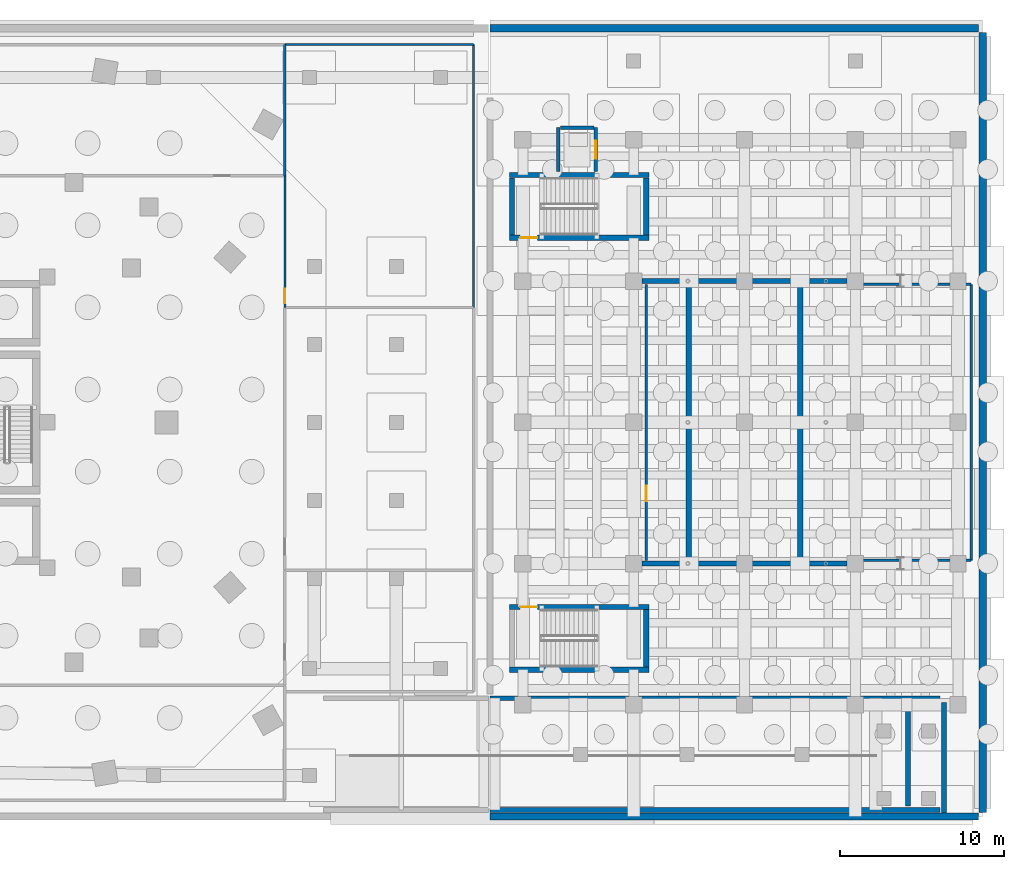
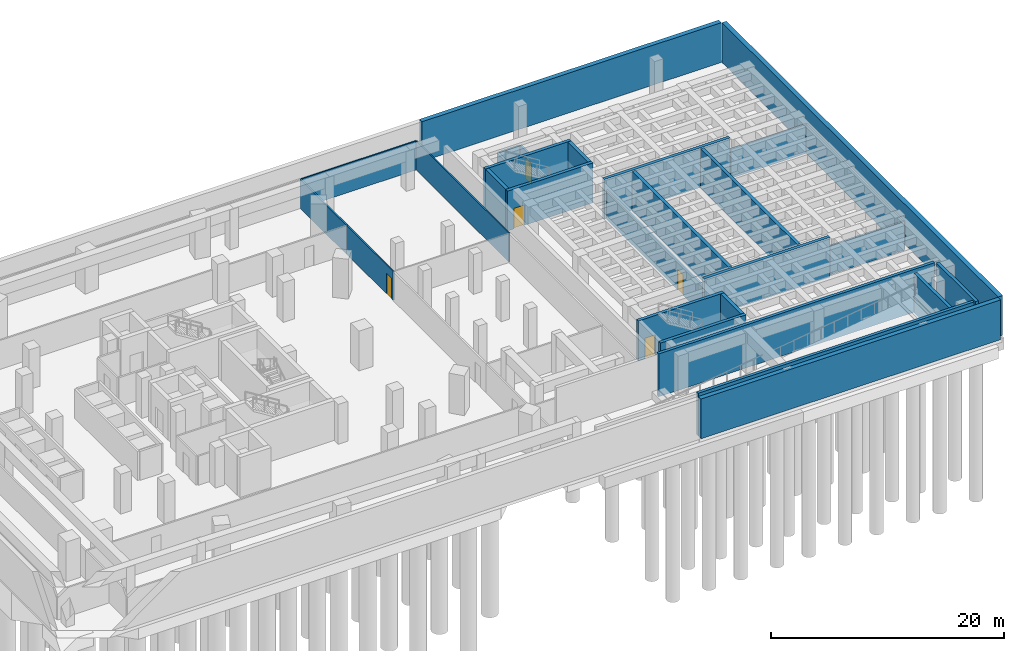
# One storey, part 10 of 15: 29 walls, 5 doors, 5 openings.
"""IFC4 building model written with IfcOpenShell, lengths in metres."""

from ifc_helpers import new_model, si_unit, direction, frame, frame_2d, origin, place, context, subcontext, project, spatial, rectangle, extrude, material, layer, layer_set, type_object, element, fill, save


model = new_model("IFC4")

# Units and contexts
model_context = context("Model", 3, precision=1e-05, world=origin(), true_north=direction((0.0, 1.0)))
body_context = subcontext(model_context, "Body", "Model", "MODEL_VIEW")
ifc_project = project(units=[si_unit("LENGTHUNIT", "METRE"), si_unit("AREAUNIT", "SQUARE_METRE"), si_unit("VOLUMEUNIT", "CUBIC_METRE"), si_unit("PLANEANGLEUNIT", "RADIAN"), si_unit("MASSUNIT", "GRAM", prefix="KILO")], contexts=[model_context])

# Site, building, storey
site_placement = place(None, origin())
site = spatial("IfcSite", under=ifc_project, at=site_placement, CompositionType="ELEMENT")
building_placement = place(site_placement, origin())
building = spatial("IfcBuilding", under=site, at=building_placement, Name="Korentha Bioscience Tower", CompositionType="ELEMENT")
storey_placement = place(building_placement, frame((0.0, 0.0, -9.0)))
storey = spatial("IfcBuildingStorey", under=building, at=storey_placement, Name="B2", CompositionType="ELEMENT", Elevation=-9.0)

# Walls
ifc_material_1 = material(Name="Double-Stud Acoustic Gypsum", Category="gypsum")
ifc_layer_1 = layer(ifc_material_1, 0.14990234375, Name="Double-Stud Acoustic Gypsum")
ifc_layer_set_1 = layer_set([ifc_layer_1], Name="Double-Stud Acoustic Gypsum (IW-L150)")
wall_type_1 = type_object("IfcWallType", Name="Acoustic Laboratory Partition Wall 150", PredefinedType="PARTITIONING", material=ifc_layer_set_1)
wall_1_placement = place(storey_placement, frame((52.0, 50.0, 0.0), z_axis=(0.0, 0.0, 1.0), x_axis=(0.0, -1.0, 0.0)))
element("IfcWall", 1, at=wall_1_placement, inside=storey, type_object=wall_type_1, Name="B2 Interior Partition 013", PredefinedType="PARTITIONING", context=body_context, shape_type="SweptSolid", body=[
    extrude(rectangle(XDim=7.989990234375, YDim=0.14990234375, at=frame_2d((3.9951171875, 0.0))), origin(), (0.0, 0.0, 1.0), 3.0400390625),
])
ifc_material_2 = material(Name="Concrete C50", Category="concrete")
ifc_layer_2 = layer(ifc_material_2, 0.449951171875, Name="Concrete C50")
ifc_layer_set_2 = layer_set([ifc_layer_2], Name="Concrete C50 (RW-01)")
wall_type_2 = type_object("IfcWallType", Name="Basement Perimeter Retaining Wall 450", PredefinedType="USERDEFINED", material=ifc_layer_set_2)
wall_2_placement = place(storey_placement, frame((64.5, 51.0, 0.0), z_axis=(0.0, 0.0, 1.0), x_axis=(1.0, 0.0, 0.0)))
element("IfcWall", 2, at=wall_2_placement, inside=storey, type_object=wall_type_2, Name="B2 Retaining Liner Wall NE", ObjectType="RETAININGWALL", PredefinedType="USERDEFINED", context=body_context, shape_type="SweptSolid", body=[
    extrude(rectangle(XDim=29.75, YDim=0.449951171875, at=frame_2d((14.875, 0.0))), origin(), (0.0, 0.0, 1.0), 4.179931640625),
])
wall_3_placement = place(storey_placement, frame((94.5, 50.75, 0.0), z_axis=(0.0, 0.0, 1.0), x_axis=(0.0, -1.0, 0.0)))
element("IfcWall", 3, at=wall_3_placement, inside=storey, type_object=wall_type_2, Name="B2 Retaining Liner Wall E", ObjectType="RETAININGWALL", PredefinedType="USERDEFINED", context=body_context, shape_type="SweptSolid", body=[
    extrude(rectangle(XDim=47.5, YDim=0.449951171875, at=frame_2d((23.75, 0.0))), origin(), (0.0, 0.0, 1.0), 4.179931640625),
])
wall_4_placement = place(storey_placement, frame((94.25, 3.0, 0.0), z_axis=(0.0, 0.0, 1.0), x_axis=(-1.0, 0.0, 0.0)))
element("IfcWall", 4, at=wall_4_placement, inside=storey, type_object=wall_type_2, Name="B2 Retaining Liner Wall SE", ObjectType="RETAININGWALL", PredefinedType="USERDEFINED", context=body_context, shape_type="SweptSolid", body=[
    extrude(rectangle(XDim=29.75, YDim=0.449951171875, at=frame_2d((14.875, 0.0))), origin(), (0.0, 0.0, 1.0), 4.179931640625),
])

# Wall, opening, door
ifc_material_3 = material(Name="Gypsum-Clad Steel Stud", Category="steel")
ifc_layer_3 = layer(ifc_material_3, 0.159912109375, Name="Gypsum-Clad Steel Stud")
ifc_layer_set_3 = layer_set([ifc_layer_3], Name="Gypsum-Clad Steel Stud (IW-C160)")
wall_type_3 = type_object("IfcWallType", Name="Fire-Rated Corridor Partition Wall 160", PredefinedType="PARTITIONING", material=ifc_layer_set_3)
wall_5_placement = place(storey_placement, frame((74.010009765625, 18.60009765625, 0.0), z_axis=(0.0, 0.0, 1.0), x_axis=(0.0, 1.0, 0.0)))
wall_5 = element("IfcWall", 5, at=wall_5_placement, inside=storey, type_object=wall_type_3, Name="B2 B2 Orchestra Pit Lift & Stage Trap Room Entrance Wall", PredefinedType="PARTITIONING", context=body_context, shape_type="SweptSolid", body=[
    extrude(rectangle(XDim=16.7998046875, YDim=0.159912109375, at=frame_2d((8.39990234375, 0.0))), origin(), (0.0, 0.0, 1.0), 3.0400390625),
])
opening_1_placement = place(wall_5_placement, frame((3.602783203125, 0.0, 0.0)))
opening_1 = element("IfcOpeningElement", 6, at=opening_1_placement, cuts=wall_5, Name="Opening ID-10L", PredefinedType="OPENING", context=body_context, shape_type="SweptSolid", body=[
    extrude(rectangle(XDim=0.949951171875, YDim=2.14990234375, at=frame_2d((0.47509765625, 1.074951171875))), frame((0.0, 0.0947265625, 0.0), z_axis=(0.0, -1.0, 0.0), x_axis=(1.0, 0.0, 0.0)), (0.0, 0.0, 1.0), 0.189697265625),
])
ifc_material_4 = material(Name="Phenolic Laminate Timber Core", Category="wood")
door_type_1 = type_object("IfcDoorType", Name="Laboratory Single Leaf Door 950x2150 Left", OperationType="SINGLE_SWING_LEFT", PredefinedType="DOOR", material=ifc_material_4)
door_1_placement = place(opening_1_placement, origin())
door_1 = element("IfcDoor", 7, at=door_1_placement, inside=storey, type_object=door_type_1, Name="B2 B2 Orchestra Pit Lift & Stage Trap Room Door", OperationType="SINGLE_SWING_LEFT", OverallHeight=2.14990234375, OverallWidth=0.949951171875, PredefinedType="DOOR", context=body_context, shape_type="SweptSolid", body=[
    extrude(rectangle(XDim=0.949951171875, YDim=2.14990234375, at=frame_2d((0.47509765625, 1.074951171875))), frame((0.0, 0.02490234375, 0.0), z_axis=(0.0, -1.0, 0.0), x_axis=(1.0, 0.0, 0.0)), (0.0, 0.0, 1.0), 0.050048828125),
])
fill(opening_1, door_1)

# Walls
wall_6_placement = place(storey_placement, frame((93.800048828125, 35.39990234375, 0.0), z_axis=(0.0, 0.0, 1.0), x_axis=(0.0, -1.0, 0.0)))
element("IfcWall", 8, at=wall_6_placement, inside=storey, type_object=wall_type_3, Name="B2 Interior Partition 026", PredefinedType="PARTITIONING", context=body_context, shape_type="SweptSolid", body=[
    extrude(rectangle(XDim=16.7998046875, YDim=0.159912109375, at=frame_2d((8.39990234375, 0.0))), origin(), (0.0, 0.0, 1.0), 3.0400390625),
])
for number, where, z_axis, x_axis, name in (
    (9, (93.800048828125, 18.60009765625, 0.0), (0.0, 0.0, 1.0), (-1.0, 0.0, 0.0), "B2 Interior Partition 027"),
    (10, (86.25, 35.39990234375, 0.0), (0.0, 0.0, 1.0), (1.0, 0.0, 0.0), "B2 Interior Partition 028"),
):
    element("IfcWall", number, at=place(storey_placement, frame(where, z_axis=z_axis, x_axis=x_axis)), inside=storey, type_object=wall_type_3, Name=name, PredefinedType="PARTITIONING", context=body_context, shape_type="SweptSolid", body=[
        extrude(rectangle(XDim=7.550048828125, YDim=0.159912109375, at=frame_2d((3.77490234375, 0.0))), origin(), (0.0, 0.0, 1.0), 3.0400390625),
    ])
ifc_material_5 = material(Name="Autoclaved Aerated Concrete Block C25", Category="concrete")
ifc_layer_4 = layer(ifc_material_5, 0.199951171875, Name="Autoclaved Aerated Concrete Block C25")
ifc_layer_set_4 = layer_set([ifc_layer_4], Name="Autoclaved Aerated Concrete Block C25 (IW-S200)")
wall_type_4 = type_object("IfcWallType", Name="Lift and Riser Shaft Enclosure Wall 200", PredefinedType="PARTITIONING", material=ifc_layer_set_4)
wall_7_placement = place(storey_placement, frame((68.659912109375, 42.260009765625, 0.0), z_axis=(0.0, 0.0, 1.0), x_axis=(0.0, 1.0, 0.0)))
element("IfcWall", 11, at=wall_7_placement, inside=storey, type_object=wall_type_4, Name="B2 Lift Bank LT1 Shaft Wall -X", PredefinedType="PARTITIONING", context=body_context, shape_type="SweptSolid", body=[
    extrude(rectangle(XDim=2.679931640625, YDim=0.199951171875, at=frame_2d((1.33984375, 0.0))), origin(), (0.0, 0.0, 1.0), 3.0400390625),
])

# Wall, opening, door
wall_8_placement = place(storey_placement, frame((70.93994140625, 42.260009765625, 0.0), z_axis=(0.0, 0.0, 1.0), x_axis=(0.0, 1.0, 0.0)))
wall_8 = element("IfcWall", 12, at=wall_8_placement, inside=storey, type_object=wall_type_4, Name="B2 Lift Bank LT1 Shaft Wall +X", PredefinedType="PARTITIONING", context=body_context, shape_type="SweptSolid", body=[
    extrude(rectangle(XDim=2.679931640625, YDim=0.199951171875, at=frame_2d((1.33984375, 0.0))), origin(), (0.0, 0.0, 1.0), 3.0400390625),
])
opening_2_placement = place(wall_8_placement, frame((0.7900390625, 0.0, 0.0)))
opening_2 = element("IfcOpeningElement", 13, at=opening_2_placement, cuts=wall_8, Name="Opening LD-11", PredefinedType="OPENING", context=body_context, shape_type="SweptSolid", body=[
    extrude(rectangle(XDim=1.10009765625, YDim=2.199951171875, at=frame_2d((0.550048828125, 1.10009765625))), frame((0.0, 0.11474609375, 0.0), z_axis=(0.0, -1.0, 0.0), x_axis=(1.0, 0.0, 0.0)), (0.0, 0.0, 1.0), 0.229736328125),
])
ifc_material_6 = material(Name="Brushed Stainless Steel 304", Category="steel")
door_type_2 = type_object("IfcDoorType", Name="Passenger Lift Sliding Landing Door 1100x2200", OperationType="DOUBLE_DOOR_SLIDING", PredefinedType="DOOR", material=ifc_material_6)
door_2_placement = place(opening_2_placement, origin())
door_2 = element("IfcDoor", 14, at=door_2_placement, inside=storey, type_object=door_type_2, Name="B2 LT-1 Sliding Lift Landing Door", OperationType="DOUBLE_DOOR_SLIDING", OverallHeight=2.199951171875, OverallWidth=1.10009765625, PredefinedType="DOOR", context=body_context, shape_type="SweptSolid", body=[
    extrude(rectangle(XDim=1.10009765625, YDim=2.199951171875, at=frame_2d((0.550048828125, 1.10009765625))), frame((0.0, 0.02490234375, 0.0), z_axis=(0.0, -1.0, 0.0), x_axis=(1.0, 0.0, 0.0)), (0.0, 0.0, 1.0), 0.050048828125),
])
fill(opening_2, door_2)

# Walls
wall_9_placement = place(storey_placement, frame((68.780029296875, 44.93994140625, 0.0), z_axis=(0.0, 0.0, 1.0), x_axis=(1.0, 0.0, 0.0)))
element("IfcWall", 15, at=wall_9_placement, inside=storey, type_object=wall_type_4, Name="B2 Lift Bank LT1 Shaft Wall +Y", PredefinedType="PARTITIONING", context=body_context, shape_type="SweptSolid", body=[
    extrude(rectangle(XDim=2.0400390625, YDim=0.199951171875, at=frame_2d((1.02001953125, 0.0))), origin(), (0.0, 0.0, 1.0), 3.0400390625),
])
ifc_layer_5 = layer(ifc_material_2, 0.300048828125, Name="Concrete C50")
ifc_layer_set_5 = layer_set([ifc_layer_5], Name="Concrete C50 (RW-SH300)")
wall_type_5 = type_object("IfcWallType", Name="Ramp Shaft Structural Wall 300", PredefinedType="SHEAR", material=ifc_layer_set_5)
for number, where, z_axis, x_axis, name in (
    (16, (64.5, 10.199951171875, 0.0), (0.0, 0.0, 1.0), (1.0, 0.0, 0.0), "B2 Vehicle Ramp Enclosure Wall NE"),
    (17, (64.5, 3.39990234375, 0.0), (0.0, 0.0, 1.0), (1.0, 0.0, 0.0), "B2 Vehicle Ramp Enclosure Wall SE"),
):
    element("IfcWall", number, at=place(storey_placement, frame(where, z_axis=z_axis, x_axis=x_axis)), inside=storey, type_object=wall_type_5, Name=name, PredefinedType="SHEAR", context=body_context, shape_type="SweptSolid", body=[
        extrude(rectangle(XDim=27.39990234375, YDim=0.300048828125, at=frame_2d((13.699951171875, 0.0))), origin(), (0.0, 0.0, 1.0), 4.5),
    ])
wall_10_placement = place(storey_placement, frame((92.14990234375, 3.22509765625, 0.0), z_axis=(0.0, 0.0, 1.0), x_axis=(0.0, 1.0, 0.0)))
element("IfcWall", 18, at=wall_10_placement, inside=storey, type_object=wall_type_5, Name="B2 Vehicle Ramp Enclosure Wall E", PredefinedType="SHEAR", context=body_context, shape_type="SweptSolid", body=[
    extrude(rectangle(XDim=6.724853515625, YDim=0.300048828125, at=frame_2d((3.3623046875, 0.0))), origin(), (0.0, 0.0, 1.0), 4.5),
])
wall_11_placement = place(storey_placement, frame((89.949951171875, 3.64990234375, 0.0), z_axis=(0.0, 0.0, 1.0), x_axis=(0.0, 1.0, 0.0)))
element("IfcWall", 19, at=wall_11_placement, inside=storey, type_object=wall_type_5, Name="B2 Ramp Half-Landing Support Wall", PredefinedType="SHEAR", context=body_context, shape_type="SweptSolid", body=[
    extrude(rectangle(XDim=6.300048828125, YDim=0.300048828125, at=frame_2d((3.14990234375, 0.0))), origin(), (0.0, 0.0, 1.0), 4.179931640625),
])
ifc_layer_6 = layer(ifc_material_2, 0.320068359375, Name="Concrete C50")
ifc_layer_set_6 = layer_set([ifc_layer_6], Name="Concrete C50 (TW-S320)")
wall_type_6 = type_object("IfcWallType", Name="Theatre Acoustic Shell Inner Wall 320", PredefinedType="SHEAR", material=ifc_layer_set_6)
for number, where, z_axis, x_axis, name in (
    (20, (73.75, 18.39990234375, 0.0), (0.0, 0.0, 1.0), (1.0, 0.0, 0.0), "B2 Theatre Substructure Wall BCOMP-1"),
    (21, (73.75, 35.60009765625, 0.0), (0.0, 0.0, 1.0), (1.0, 0.0, 0.0), "B2 Theatre Substructure Wall BCOMP-2"),
):
    element("IfcWall", number, at=place(storey_placement, frame(where, z_axis=z_axis, x_axis=x_axis)), inside=storey, type_object=wall_type_6, Name=name, PredefinedType="SHEAR", context=body_context, shape_type="SweptSolid", body=[
        extrude(rectangle(XDim=12.5, YDim=0.320068359375, at=frame_2d((6.25, 0.0))), origin(), (0.0, 0.0, 1.0), 4.179931640625),
    ])
for number, where, z_axis, x_axis, name in (
    (22, (76.60009765625, 18.699951171875, 0.0), (0.0, 0.0, 1.0), (0.0, 1.0, 0.0), "B2 Theatre Substructure Wall BCOMP-3"),
    (23, (83.39990234375, 18.699951171875, 0.0), (0.0, 0.0, 1.0), (0.0, 1.0, 0.0), "B2 Theatre Substructure Wall BCOMP-4"),
):
    element("IfcWall", number, at=place(storey_placement, frame(where, z_axis=z_axis, x_axis=x_axis)), inside=storey, type_object=wall_type_6, Name=name, PredefinedType="SHEAR", context=body_context, shape_type="SweptSolid", body=[
        extrude(rectangle(XDim=16.60009765625, YDim=0.320068359375, at=frame_2d((8.300048828125, 0.0))), origin(), (0.0, 0.0, 1.0), 4.179931640625),
    ])
wall_12_placement = place(storey_placement, frame((65.679931640625, 11.93994140625, 0.0), z_axis=(0.0, 0.0, 1.0), x_axis=(1.0, 0.0, 0.0)))
element("IfcWall", 24, at=wall_12_placement, inside=storey, type_object=wall_type_6, Name="B2 Theatre Substructure Wall STT1-S", PredefinedType="SHEAR", context=body_context, shape_type="SweptSolid", body=[
    extrude(rectangle(XDim=8.489990234375, YDim=0.320068359375, at=frame_2d((4.2451171875, 0.0))), origin(), (0.0, 0.0, 1.0), 4.179931640625),
])

# Wall, opening, door
wall_13_placement = place(storey_placement, frame((65.679931640625, 15.760009765625, 0.0), z_axis=(0.0, 0.0, 1.0), x_axis=(1.0, 0.0, 0.0)))
wall_13 = element("IfcWall", 25, at=wall_13_placement, inside=storey, type_object=wall_type_6, Name="B2 Theatre Substructure Wall STT1-N", PredefinedType="SHEAR", context=body_context, shape_type="SweptSolid", body=[
    extrude(rectangle(XDim=8.489990234375, YDim=0.320068359375, at=frame_2d((4.2451171875, 0.0))), origin(), (0.0, 0.0, 1.0), 4.179931640625),
])
opening_3_placement = place(wall_13_placement, frame((0.64990234375, 0.0, 0.0)))
opening_3 = element("IfcOpeningElement", 26, at=opening_3_placement, cuts=wall_13, Name="Opening FD-90R", PredefinedType="OPENING", context=body_context, shape_type="SweptSolid", body=[
    extrude(rectangle(XDim=1.050048828125, YDim=2.14990234375, at=frame_2d((0.52490234375, 1.074951171875))), frame((0.0, 0.1748046875, 0.0), z_axis=(0.0, -1.0, 0.0), x_axis=(1.0, 0.0, 0.0)), (0.0, 0.0, 1.0), 0.349853515625),
])
ifc_material_7 = material(Name="Powder-Coated Fire-Rated Steel", Category="steel")
door_type_3 = type_object("IfcDoorType", Name="Stairwell Fire Exit Door 1050x2150 Right", OperationType="SINGLE_SWING_RIGHT", PredefinedType="DOOR", material=ifc_material_7)
door_3_placement = place(opening_3_placement, origin())
door_3 = element("IfcDoor", 27, at=door_3_placement, inside=storey, type_object=door_type_3, Name="B2 ST-T1 Fire Exit Stair Door", OperationType="SINGLE_SWING_RIGHT", OverallHeight=2.14990234375, OverallWidth=1.050048828125, PredefinedType="DOOR", context=body_context, shape_type="SweptSolid", body=[
    extrude(rectangle(XDim=1.050048828125, YDim=2.14990234375, at=frame_2d((0.52490234375, 1.074951171875))), frame((0.0, 0.02490234375, 0.0), z_axis=(0.0, -1.0, 0.0), x_axis=(1.0, 0.0, 0.0)), (0.0, 0.0, 1.0), 0.050048828125),
])
fill(opening_3, door_3)

# Wall
wall_14_placement = place(storey_placement, frame((74.010009765625, 12.110107421875, 0.0), z_axis=(0.0, 0.0, 1.0), x_axis=(0.0, 1.0, 0.0)))
element("IfcWall", 28, at=wall_14_placement, inside=storey, type_object=wall_type_6, Name="B2 Theatre Substructure Wall STT1-E", PredefinedType="SHEAR", context=body_context, shape_type="SweptSolid", body=[
    extrude(rectangle(XDim=3.47998046875, YDim=0.320068359375, at=frame_2d((1.739990234375, 0.0))), origin(), (0.0, 0.0, 1.0), 4.179931640625),
])

# Wall, opening, door
wall_15_placement = place(storey_placement, frame((65.679931640625, 38.239990234375, 0.0), z_axis=(0.0, 0.0, 1.0), x_axis=(1.0, 0.0, 0.0)))
wall_15 = element("IfcWall", 29, at=wall_15_placement, inside=storey, type_object=wall_type_6, Name="B2 Theatre Substructure Wall STT2-S", PredefinedType="SHEAR", context=body_context, shape_type="SweptSolid", body=[
    extrude(rectangle(XDim=8.489990234375, YDim=0.320068359375, at=frame_2d((4.2451171875, 0.0))), origin(), (0.0, 0.0, 1.0), 4.179931640625),
])
opening_4_placement = place(wall_15_placement, frame((0.64990234375, 0.0, 0.0)))
opening_4 = element("IfcOpeningElement", 30, at=opening_4_placement, cuts=wall_15, Name="Opening FD-90R", PredefinedType="OPENING", context=body_context, shape_type="SweptSolid", body=[
    extrude(rectangle(XDim=1.050048828125, YDim=2.14990234375, at=frame_2d((0.52490234375, 1.074951171875))), frame((0.0, 0.1748046875, 0.0), z_axis=(0.0, -1.0, 0.0), x_axis=(1.0, 0.0, 0.0)), (0.0, 0.0, 1.0), 0.349853515625),
])
door_4_placement = place(opening_4_placement, origin())
door_4 = element("IfcDoor", 31, at=door_4_placement, inside=storey, type_object=door_type_3, Name="B2 ST-T2 Fire Exit Stair Door", OperationType="SINGLE_SWING_RIGHT", OverallHeight=2.14990234375, OverallWidth=1.050048828125, PredefinedType="DOOR", context=body_context, shape_type="SweptSolid", body=[
    extrude(rectangle(XDim=1.050048828125, YDim=2.14990234375, at=frame_2d((0.52490234375, 1.074951171875))), frame((0.0, 0.02490234375, 0.0), z_axis=(0.0, -1.0, 0.0), x_axis=(1.0, 0.0, 0.0)), (0.0, 0.0, 1.0), 0.050048828125),
])
fill(opening_4, door_4)

# Walls
wall_16_placement = place(storey_placement, frame((65.679931640625, 42.06005859375, 0.0), z_axis=(0.0, 0.0, 1.0), x_axis=(1.0, 0.0, 0.0)))
element("IfcWall", 32, at=wall_16_placement, inside=storey, type_object=wall_type_6, Name="B2 Theatre Substructure Wall STT2-N", PredefinedType="SHEAR", context=body_context, shape_type="SweptSolid", body=[
    extrude(rectangle(XDim=8.489990234375, YDim=0.320068359375, at=frame_2d((4.2451171875, 0.0))), origin(), (0.0, 0.0, 1.0), 4.179931640625),
])
for number, where, z_axis, x_axis, name in (
    (33, (74.010009765625, 38.409912109375, 0.0), (0.0, 0.0, 1.0), (0.0, 1.0, 0.0), "B2 Theatre Substructure Wall STT2-E"),
    (34, (65.840087890625, 38.409912109375, 0.0), (0.0, 0.0, 1.0), (0.0, 1.0, 0.0), "B2 Theatre Substructure Wall STT2-W"),
):
    element("IfcWall", number, at=place(storey_placement, frame(where, z_axis=z_axis, x_axis=x_axis)), inside=storey, type_object=wall_type_6, Name=name, PredefinedType="SHEAR", context=body_context, shape_type="SweptSolid", body=[
        extrude(rectangle(XDim=3.47998046875, YDim=0.320068359375, at=frame_2d((1.739990234375, 0.0))), origin(), (0.0, 0.0, 1.0), 4.179931640625),
    ])

# Wall, opening, door
ifc_material_8 = material(Name="Cement-Board Steel Stud", Category="steel")
ifc_layer_7 = layer(ifc_material_8, 0.1298828125, Name="Cement-Board Steel Stud")
ifc_layer_set_7 = layer_set([ifc_layer_7], Name="Cement-Board Steel Stud (IW-W130)")
wall_type_7 = type_object("IfcWallType", Name="Wet-Area Moisture-Resistant Partition 130", PredefinedType="PARTITIONING", material=ifc_layer_set_7)
wall_17_placement = place(storey_placement, frame((52.010009765625, 34.0, 0.0), z_axis=(0.0, 0.0, 1.0), x_axis=(0.0, 1.0, 0.0)))
wall_17 = element("IfcWall", 35, at=wall_17_placement, inside=storey, type_object=wall_type_7, Name="B2 B2 Secure Bicycle Store and Changing Showers Entrance Wall", PredefinedType="PARTITIONING", context=body_context, shape_type="SweptSolid", body=[
    extrude(rectangle(XDim=8.0, YDim=0.1298828125, at=frame_2d((4.0, 0.0))), origin(), (0.0, 0.0, 1.0), 3.0400390625),
])
opening_5_placement = place(wall_17_placement, frame((0.239990234375, 0.0, 0.0)))
opening_5 = element("IfcOpeningElement", 36, at=opening_5_placement, cuts=wall_17, Name="Opening ID-09R", PredefinedType="OPENING", context=body_context, shape_type="SweptSolid", body=[
    extrude(rectangle(XDim=0.89990234375, YDim=2.14990234375, at=frame_2d((0.449951171875, 1.074951171875))), frame((0.0, 0.079833984375, 0.0), z_axis=(0.0, -1.0, 0.0), x_axis=(1.0, 0.0, 0.0)), (0.0, 0.0, 1.0), 0.15966796875),
])
ifc_material_9 = material(Name="Moisture-Resistant HPL Leaf", Category="wood")
door_type_4 = type_object("IfcDoorType", Name="Restroom & Accessible WC Door 900x2150 Right", OperationType="SINGLE_SWING_RIGHT", PredefinedType="DOOR", material=ifc_material_9)
door_5_placement = place(opening_5_placement, origin())
door_5 = element("IfcDoor", 37, at=door_5_placement, inside=storey, type_object=door_type_4, Name="B2 B2 Secure Bicycle Store and Changing Showers Door", OperationType="SINGLE_SWING_RIGHT", OverallHeight=2.14990234375, OverallWidth=0.89990234375, PredefinedType="DOOR", context=body_context, shape_type="SweptSolid", body=[
    extrude(rectangle(XDim=0.89990234375, YDim=2.14990234375, at=frame_2d((0.449951171875, 1.074951171875))), frame((0.0, 0.02490234375, 0.0), z_axis=(0.0, -1.0, 0.0), x_axis=(1.0, 0.0, 0.0)), (0.0, 0.0, 1.0), 0.050048828125),
])
fill(opening_5, door_5)

# Walls
wall_18_placement = place(storey_placement, frame((63.5, 50.0, 0.0), z_axis=(0.0, 0.0, 1.0), x_axis=(0.0, -1.0, 0.0)))
element("IfcWall", 38, at=wall_18_placement, inside=storey, type_object=wall_type_7, Name="B2 Interior Partition 019", PredefinedType="PARTITIONING", context=body_context, shape_type="SweptSolid", body=[
    extrude(rectangle(XDim=16.0, YDim=0.1298828125, at=frame_2d((8.0, 0.0))), origin(), (0.0, 0.0, 1.0), 3.0400390625),
])
wall_19_placement = place(storey_placement, frame((52.010009765625, 50.0, 0.0), z_axis=(0.0, 0.0, 1.0), x_axis=(1.0, 0.0, 0.0)))
element("IfcWall", 39, at=wall_19_placement, inside=storey, type_object=wall_type_7, Name="B2 Interior Partition 021", PredefinedType="PARTITIONING", context=body_context, shape_type="SweptSolid", body=[
    extrude(rectangle(XDim=11.489990234375, YDim=0.1298828125, at=frame_2d((5.7451171875, 0.0))), origin(), (0.0, 0.0, 1.0), 3.0400390625),
])

save(model, "model.ifc")
